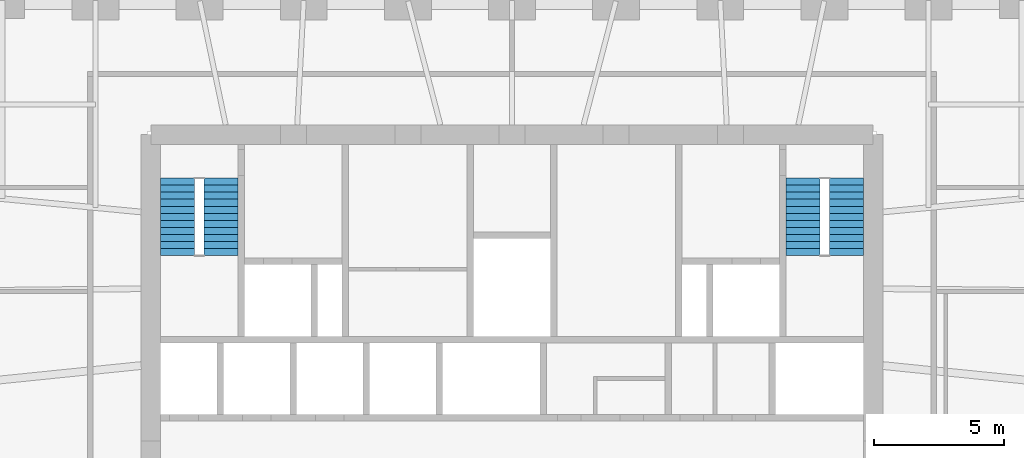
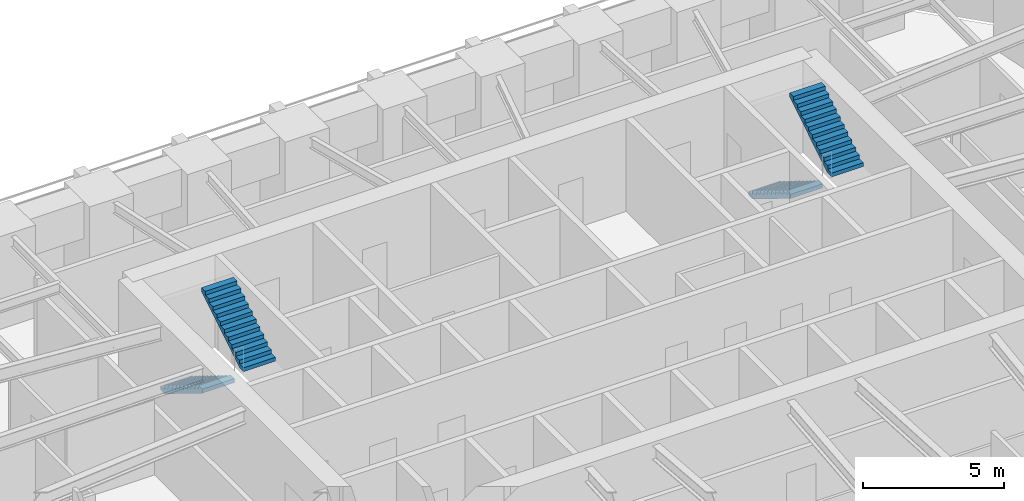
# One storey, part 8 of 10: 4 stair flights, 2 elements without a shape of their own.
"""IFC4 building model written with IfcOpenShell, lengths in metres."""

from ifc_helpers import new_model, si_unit, direction, frame, origin, place, context, subcontext, project, spatial, polyline, outline, extrude, material, type_object, element, aggregate, save


model = new_model("IFC4")

# Units and contexts
model_context = context("Model", 3, precision=1e-05, world=origin(), true_north=direction((0.0, 1.0)))
body_context = subcontext(model_context, "Body", "Model", "MODEL_VIEW")
ifc_project = project(units=[si_unit("LENGTHUNIT", "METRE"), si_unit("AREAUNIT", "SQUARE_METRE"), si_unit("VOLUMEUNIT", "CUBIC_METRE"), si_unit("PLANEANGLEUNIT", "RADIAN"), si_unit("MASSUNIT", "GRAM", prefix="KILO")], contexts=[model_context])

# Site, building, storey
site_placement = place(None, origin())
site = spatial("IfcSite", under=ifc_project, at=site_placement, CompositionType="ELEMENT")
building_placement = place(site_placement, origin())
building = spatial("IfcBuilding", under=site, at=building_placement, Name="Isbrekke Arena Tower", CompositionType="ELEMENT")
storey_placement = place(building_placement, frame((0.0, 0.0, 107.0)))
storey = spatial("IfcBuildingStorey", under=building, at=storey_placement, Name="L23", CompositionType="ELEMENT", Elevation=107.0)

# Stair, stair flights
ifc_material_1 = material(Name="Concrete B45 (C45/55) precast", Category="concrete")
stair_type = type_object("IfcStairType", Name="ST40 STAIR 1300 WIDE, 24 RISERS 167", PredefinedType="HALF_TURN_STAIR", material=ifc_material_1)
stair_1_placement = place(storey_placement, origin())
stair_1 = element("IfcStair", 1, at=stair_1_placement, inside=storey, type_object=stair_type, Name="ST1 stair L23", PredefinedType="HALF_TURN_STAIR")
ifc_material_2 = material(Name="Concrete B45 (C45/55) precast", Category="concrete")
stair_flight_type = type_object("IfcStairFlightType", Name="SF 1300 FLIGHT", PredefinedType="STRAIGHT", material=ifc_material_2)
stair_flight_1_placement = place(storey_placement, frame((-12.85009765625, 22.199951171875, 0.0), z_axis=(0.0, 0.0, 1.0), x_axis=(0.0, -1.0, 0.0)))
stair_flight_1 = element("IfcStairFlight", 2, at=stair_flight_1_placement, type_object=stair_flight_type, Name="ST1 flight 1", NumberOfRisers=12, NumberOfTreads=11, PredefinedType="STRAIGHT", RiserHeight=0.166666667, TreadLength=0.27, context=body_context, shape_type="SweptSolid", body=[
    extrude(outline(polyline([(0.0, 0.0), (0.0, 0.166748046875), (0.27001953125, 0.166748046875), (0.27001953125, 0.333251953125), (0.5400390625, 0.333251953125), (0.5400390625, 0.5), (0.81005859375, 0.5), (0.81005859375, 0.666748046875), (1.080078125, 0.666748046875), (1.080078125, 0.833251953125), (1.35009765625, 0.833251953125), (1.35009765625, 1.0), (1.6201171875, 1.0), (1.6201171875, 1.166748046875), (1.889892578125, 1.166748046875), (1.889892578125, 1.333251953125), (2.159912109375, 1.333251953125), (2.159912109375, 1.5), (2.429931640625, 1.5), (2.429931640625, 1.666748046875), (2.699951171875, 1.666748046875), (2.699951171875, 1.833251953125), (2.969970703125, 1.833251953125), (2.969970703125, 2.0), (2.969970703125, 1.6572265625), (0.285400390625, 0.0), (0.0, 0.0)])), frame((0.0, 0.64990234375, 0.0), z_axis=(0.0, -1.0, 0.0), x_axis=(1.0, 0.0, 0.0)), (0.0, 0.0, 1.0), 1.300048828125),
])
stair_flight_2_placement = place(storey_placement, frame((-11.175048828125, 19.22998046875, 2.0), z_axis=(0.0, 0.0, 1.0), x_axis=(0.0, 1.0, 0.0)))
stair_flight_2 = element("IfcStairFlight", 3, at=stair_flight_2_placement, type_object=stair_flight_type, Name="ST1 flight 2", NumberOfRisers=12, NumberOfTreads=11, PredefinedType="STRAIGHT", RiserHeight=0.166666667, TreadLength=0.27, context=body_context, shape_type="SweptSolid", body=[
    extrude(outline(polyline([(0.0, 0.0), (0.0, 0.166748046875), (0.27001953125, 0.166748046875), (0.27001953125, 0.333251953125), (0.5400390625, 0.333251953125), (0.5400390625, 0.5), (0.81005859375, 0.5), (0.81005859375, 0.666748046875), (1.080078125, 0.666748046875), (1.080078125, 0.833251953125), (1.35009765625, 0.833251953125), (1.35009765625, 1.0), (1.6201171875, 1.0), (1.6201171875, 1.166748046875), (1.889892578125, 1.166748046875), (1.889892578125, 1.333251953125), (2.159912109375, 1.333251953125), (2.159912109375, 1.5), (2.429931640625, 1.5), (2.429931640625, 1.666748046875), (2.699951171875, 1.666748046875), (2.699951171875, 1.833251953125), (2.969970703125, 1.833251953125), (2.969970703125, 2.0), (2.969970703125, 1.6572265625), (0.285400390625, 0.0), (0.0, 0.0)])), frame((0.0, 0.64990234375, 0.0), z_axis=(0.0, -1.0, 0.0), x_axis=(1.0, 0.0, 0.0)), (0.0, 0.0, 1.0), 1.300048828125),
])
aggregate(stair_1, [stair_flight_1, stair_flight_2])

stair_2_placement = place(storey_placement, origin())
stair_2 = element("IfcStair", 4, at=stair_2_placement, inside=storey, type_object=stair_type, Name="ST2 stair L23", PredefinedType="HALF_TURN_STAIR")
stair_flight_3_placement = place(storey_placement, frame((11.175048828125, 22.199951171875, 0.0), z_axis=(0.0, 0.0, 1.0), x_axis=(0.0, -1.0, 0.0)))
stair_flight_3 = element("IfcStairFlight", 5, at=stair_flight_3_placement, type_object=stair_flight_type, Name="ST2 flight 1", NumberOfRisers=12, NumberOfTreads=11, PredefinedType="STRAIGHT", RiserHeight=0.166666667, TreadLength=0.27, context=body_context, shape_type="SweptSolid", body=[
    extrude(outline(polyline([(0.0, 0.0), (0.0, 0.166748046875), (0.27001953125, 0.166748046875), (0.27001953125, 0.333251953125), (0.5400390625, 0.333251953125), (0.5400390625, 0.5), (0.81005859375, 0.5), (0.81005859375, 0.666748046875), (1.080078125, 0.666748046875), (1.080078125, 0.833251953125), (1.35009765625, 0.833251953125), (1.35009765625, 1.0), (1.6201171875, 1.0), (1.6201171875, 1.166748046875), (1.889892578125, 1.166748046875), (1.889892578125, 1.333251953125), (2.159912109375, 1.333251953125), (2.159912109375, 1.5), (2.429931640625, 1.5), (2.429931640625, 1.666748046875), (2.699951171875, 1.666748046875), (2.699951171875, 1.833251953125), (2.969970703125, 1.833251953125), (2.969970703125, 2.0), (2.969970703125, 1.6572265625), (0.285400390625, 0.0), (0.0, 0.0)])), frame((0.0, 0.64990234375, 0.0), z_axis=(0.0, -1.0, 0.0), x_axis=(1.0, 0.0, 0.0)), (0.0, 0.0, 1.0), 1.300048828125),
])
stair_flight_4_placement = place(storey_placement, frame((12.85009765625, 19.22998046875, 2.0), z_axis=(0.0, 0.0, 1.0), x_axis=(0.0, 1.0, 0.0)))
stair_flight_4 = element("IfcStairFlight", 6, at=stair_flight_4_placement, type_object=stair_flight_type, Name="ST2 flight 2", NumberOfRisers=12, NumberOfTreads=11, PredefinedType="STRAIGHT", RiserHeight=0.166666667, TreadLength=0.27, context=body_context, shape_type="SweptSolid", body=[
    extrude(outline(polyline([(0.0, 0.0), (0.0, 0.166748046875), (0.27001953125, 0.166748046875), (0.27001953125, 0.333251953125), (0.5400390625, 0.333251953125), (0.5400390625, 0.5), (0.81005859375, 0.5), (0.81005859375, 0.666748046875), (1.080078125, 0.666748046875), (1.080078125, 0.833251953125), (1.35009765625, 0.833251953125), (1.35009765625, 1.0), (1.6201171875, 1.0), (1.6201171875, 1.166748046875), (1.889892578125, 1.166748046875), (1.889892578125, 1.333251953125), (2.159912109375, 1.333251953125), (2.159912109375, 1.5), (2.429931640625, 1.5), (2.429931640625, 1.666748046875), (2.699951171875, 1.666748046875), (2.699951171875, 1.833251953125), (2.969970703125, 1.833251953125), (2.969970703125, 2.0), (2.969970703125, 1.6572265625), (0.285400390625, 0.0), (0.0, 0.0)])), frame((0.0, 0.64990234375, 0.0), z_axis=(0.0, -1.0, 0.0), x_axis=(1.0, 0.0, 0.0)), (0.0, 0.0, 1.0), 1.300048828125),
])
aggregate(stair_2, [stair_flight_3, stair_flight_4])

save(model, "model.ifc")
